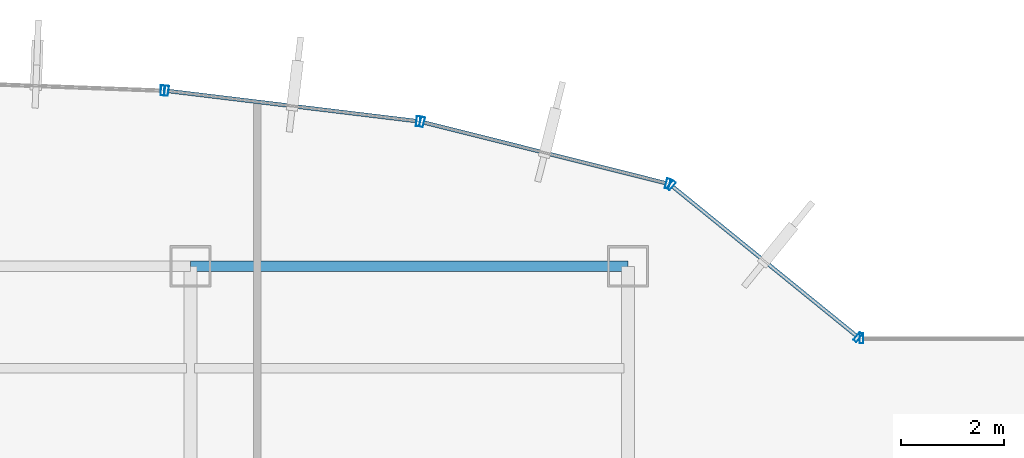
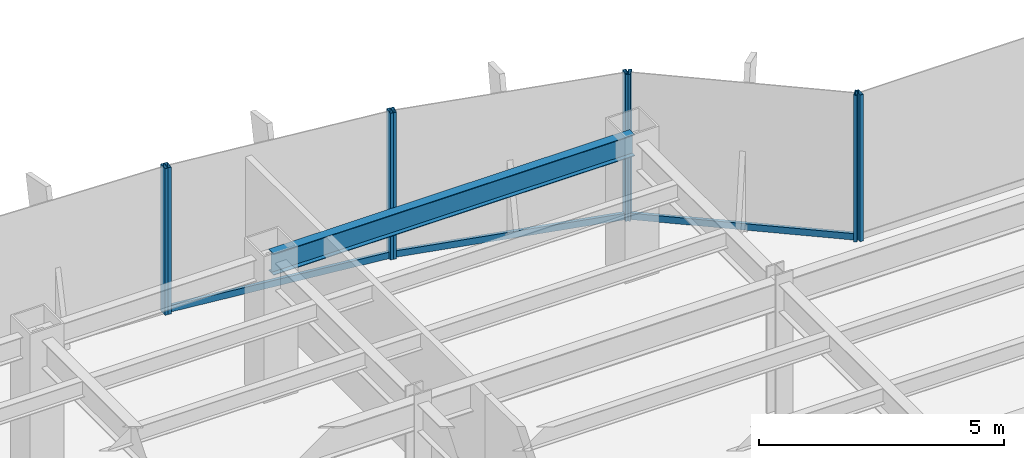
# One storey, part 18 of 26: 11 members, 1 beam, 5 elements without a shape of their own.
"""IFC4 building model written with IfcOpenShell, lengths in metres."""

from ifc_helpers import new_model, si_unit, derived_unit, direction, frame, origin, origin_2d, place, context, subcontext, project, spatial, hollow_rectangle, i_section, extrude, source, transform, mapped, material, material_profile, profile_set, type_object, element, aggregate, save


model = new_model("IFC4")

# Units and contexts
model_context = context("Model", 3, precision=1e-05, world=origin(), true_north=direction((0.0, 1.0)))
body_context = subcontext(model_context, "Body", "Model", "MODEL_VIEW")
ifc_project = project(units=[si_unit("LENGTHUNIT", "METRE"), si_unit("AREAUNIT", "SQUARE_METRE"), si_unit("VOLUMEUNIT", "CUBIC_METRE"), si_unit("PLANEANGLEUNIT", "RADIAN"), si_unit("MASSUNIT", "GRAM", prefix="KILO"), derived_unit("THERMALTRANSMITTANCEUNIT", [(si_unit("POWERUNIT", "WATT"), 1), (si_unit("LENGTHUNIT", "METRE"), -2), (si_unit("THERMODYNAMICTEMPERATUREUNIT", "KELVIN"), -1)])], contexts=[model_context])

# Site, building, storey
site_placement = place(None, origin())
site = spatial("IfcSite", under=ifc_project, at=site_placement, CompositionType="ELEMENT")
building_placement = place(site_placement, origin())
building = spatial("IfcBuilding", under=site, at=building_placement, Name="Skarnbrae Concourse Arena and Tower", CompositionType="ELEMENT")
storey_placement = place(building_placement, frame((0.0, 0.0, 125.14990234375)))
storey = spatial("IfcBuildingStorey", under=building, at=storey_placement, Name="L31", CompositionType="ELEMENT", Elevation=125.14990234375)

# Beam
ifc_material_1 = material(Name="Steel CSA G40.21 350W", Category="steel")
ifc_material_profile_1 = material_profile(ifc_material_1, i_section(OverallWidth=0.208984375, OverallDepth=0.532958984375, WebThickness=0.01025390625, FlangeThickness=0.015625, at=origin_2d()), Name="W530X92")
ifc_profile_set_1 = profile_set([ifc_material_profile_1], Name="Steel CSA G40.21 350W")
beam_type = type_object("IfcBeamType", Name="BM-SPAN-W530X92", PredefinedType="SPANDREL", material=ifc_profile_set_1)
shared_shape_1 = source(origin(), body_context, "Body", "SweptSolid", [
    extrude(i_section(OverallWidth=0.208984375, OverallDepth=0.532958984375, WebThickness=0.01025390625, FlangeThickness=0.015625, at=origin_2d()), origin(), (0.0, 0.0, 1.0), 8.5),
])
beam_placement = place(storey_placement, frame((33.5, 40.39990234375, 3.133544921875), z_axis=(1.0, 0.0, 0.0), x_axis=(0.0, 1.0, 0.0)))
element("IfcBeam", 1, at=beam_placement, inside=storey, type_object=beam_type, Name="L31 Perimeter spandrel Y40.4-4", PredefinedType="SPANDREL", context=body_context, shape_type="MappedRepresentation", body=[
    mapped(shared_shape_1, transform((0.0, 0.0, 0.0))),
])

# Curtain wall, member
ifc_material_2 = material(Name="Bronze anodised aluminium 6063-T6", Category="aluminium")
curtain_wall_type = type_object("IfcCurtainWallType", Name="CW-SYS-04-MIDZONE", PredefinedType="USERDEFINED", material=ifc_material_2)
curtain_wall_1_placement = place(storey_placement, origin())
curtain_wall_1 = element("IfcCurtainWall", 2, at=curtain_wall_1_placement, inside=storey, type_object=curtain_wall_type, Name="L31 Unitised curtain wall CW-L31-E07", ObjectType="UNITISED CURTAIN WALL", PredefinedType="USERDEFINED")
ifc_material_profile_2 = material_profile(ifc_material_2, hollow_rectangle(XDim=0.074951171875, YDim=0.195068359375, WallThickness=0.00439453125, at=origin_2d()), Name="ALU-MULL-75X195")
ifc_profile_set_2 = profile_set([ifc_material_profile_2], Name="Bronze anodised aluminium 6063-T6")
member_type_1 = type_object("IfcMemberType", Name="CWM-CW-04", PredefinedType="MULLION", material=ifc_profile_set_2)
shared_shape_2 = source(origin(), body_context, "Body", "SweptSolid", [
    extrude(hollow_rectangle(XDim=0.074951171875, YDim=0.195068359375, WallThickness=0.00439453125, at=origin_2d()), origin(), (0.0, 0.0, 1.0), 3.650146484375),
])
member_1_placement = place(storey_placement, frame((46.53759765625, 39.0, 0.0), z_axis=(0.0, 0.0, 1.0), x_axis=(-1.0, 0.0, 0.0)))
member_1 = element("IfcMember", 3, at=member_1_placement, type_object=member_type_1, Name="CW-L31-E07 Mullion 2", PredefinedType="MULLION", context=body_context, shape_type="MappedRepresentation", body=[
    mapped(shared_shape_2, transform((0.0, 0.0, 0.0))),
])
aggregate(curtain_wall_1, [member_1])

# Curtain wall, members
curtain_wall_2_placement = place(storey_placement, origin())
curtain_wall_2 = element("IfcCurtainWall", 4, at=curtain_wall_2_placement, inside=storey, type_object=curtain_wall_type, Name="L31 Unitised curtain wall CW-L31-E08", ObjectType="UNITISED CURTAIN WALL", PredefinedType="USERDEFINED")
member_2_placement = place(storey_placement, frame((46.470947265625, 39.023681640625, 0.0), z_axis=(0.0, 0.0, 1.0), x_axis=(-0.776241200471, 0.630436038542, 0.0)))
member_2 = element("IfcMember", 5, at=member_2_placement, type_object=member_type_1, Name="CW-L31-E08 Mullion 1", PredefinedType="MULLION", context=body_context, shape_type="MappedRepresentation", body=[
    mapped(shared_shape_2, transform((0.0, 0.0, 0.0))),
])
member_3_placement = place(storey_placement, frame((42.840087890625, 41.972412109375, 0.0), z_axis=(0.0, 0.0, 1.0), x_axis=(-0.776241200471, 0.630436038542, 0.0)))
member_3 = element("IfcMember", 6, at=member_3_placement, type_object=member_type_1, Name="CW-L31-E08 Mullion 2", PredefinedType="MULLION", context=body_context, shape_type="MappedRepresentation", body=[
    mapped(shared_shape_2, transform((0.0, 0.0, 0.0))),
])

curtain_wall_3_placement = place(storey_placement, origin())
curtain_wall_3 = element("IfcCurtainWall", 7, at=curtain_wall_3_placement, inside=storey, type_object=curtain_wall_type, Name="L31 Unitised curtain wall CW-L31-E09", ObjectType="UNITISED CURTAIN WALL", PredefinedType="USERDEFINED")
member_4_placement = place(storey_placement, frame((42.774658203125, 42.005126953125, 0.0), z_axis=(0.0, 0.0, 1.0), x_axis=(-0.969903046166, 0.243491439351, 0.0)))
member_4 = element("IfcMember", 8, at=member_4_placement, type_object=member_type_1, Name="CW-L31-E09 Mullion 1", PredefinedType="MULLION", context=body_context, shape_type="MappedRepresentation", body=[
    mapped(shared_shape_2, transform((0.0, 0.0, 0.0))),
])
member_5_placement = place(storey_placement, frame((38.00048828125, 43.20361328125, 0.0), z_axis=(0.0, 0.0, 1.0), x_axis=(-0.969903046166, 0.243491439351, 0.0)))
member_5 = element("IfcMember", 9, at=member_5_placement, type_object=member_type_1, Name="CW-L31-E09 Mullion 2", PredefinedType="MULLION", context=body_context, shape_type="MappedRepresentation", body=[
    mapped(shared_shape_2, transform((0.0, 0.0, 0.0))),
])

curtain_wall_4_placement = place(storey_placement, origin())
curtain_wall_4 = element("IfcCurtainWall", 10, at=curtain_wall_4_placement, inside=storey, type_object=curtain_wall_type, Name="L31 Unitised curtain wall CW-L31-E10", ObjectType="UNITISED CURTAIN WALL", PredefinedType="USERDEFINED")
member_6_placement = place(storey_placement, frame((37.927001953125, 43.21728515625, 0.0), z_axis=(0.0, 0.0, 1.0), x_axis=(-0.992749371969, 0.120202680731, 0.0)))
member_6 = element("IfcMember", 11, at=member_6_placement, type_object=member_type_1, Name="CW-L31-E10 Mullion 1", PredefinedType="MULLION", context=body_context, shape_type="MappedRepresentation", body=[
    mapped(shared_shape_2, transform((0.0, 0.0, 0.0))),
])
member_7_placement = place(storey_placement, frame((33.0361328125, 43.8095703125, 0.0), z_axis=(0.0, 0.0, 1.0), x_axis=(-0.992749371969, 0.120202680731, 0.0)))
member_7 = element("IfcMember", 12, at=member_7_placement, type_object=member_type_1, Name="CW-L31-E10 Mullion 2", PredefinedType="MULLION", context=body_context, shape_type="MappedRepresentation", body=[
    mapped(shared_shape_2, transform((0.0, 0.0, 0.0))),
])

# Curtain wall, member
curtain_wall_5_placement = place(storey_placement, origin())
curtain_wall_5 = element("IfcCurtainWall", 13, at=curtain_wall_5_placement, inside=storey, type_object=curtain_wall_type, Name="L31 Unitised curtain wall CW-L31-E11", ObjectType="UNITISED CURTAIN WALL", PredefinedType="USERDEFINED")
member_8_placement = place(storey_placement, frame((32.96142578125, 43.8154296875, 0.0), z_axis=(0.0, 0.0, 1.0), x_axis=(-0.999308486252, 0.037182647889, 0.0)))
member_8 = element("IfcMember", 14, at=member_8_placement, type_object=member_type_1, Name="CW-L31-E11 Mullion 1", PredefinedType="MULLION", context=body_context, shape_type="MappedRepresentation", body=[
    mapped(shared_shape_2, transform((0.0, 0.0, 0.0))),
])
aggregate(curtain_wall_5, [member_8])

# Member
ifc_material_profile_3 = material_profile(ifc_material_2, hollow_rectangle(XDim=0.074951171875, YDim=0.159912109375, WallThickness=0.00439453125, at=origin_2d()), Name="ALU-TRAN-75X160")
ifc_profile_set_3 = profile_set([ifc_material_profile_3], Name="Bronze anodised aluminium 6063-T6")
member_type_2 = type_object("IfcMemberType", Name="CWT-CW-04", PredefinedType="USERDEFINED", material=ifc_profile_set_3)
shared_shape_3 = source(origin(), body_context, "Body", "SweptSolid", [
    extrude(hollow_rectangle(XDim=0.074951171875, YDim=0.159912109375, WallThickness=0.00439453125, at=origin_2d()), origin(), (0.0, 0.0, 1.0), 4.602294921875),
])
member_9_placement = place(storey_placement, frame((46.44189453125, 39.04736328125, 0.080078125), z_axis=(-0.776251906445, 0.630422856297, 0.0), x_axis=(-0.630422856297, -0.776251906445, 0.0)))
member_9 = element("IfcMember", 15, at=member_9_placement, type_object=member_type_2, Name="CW-L31-E08 Transom 1", ObjectType="TRANSOM", PredefinedType="USERDEFINED", context=body_context, shape_type="MappedRepresentation", body=[
    mapped(shared_shape_3, transform((0.0, 0.0, 0.0))),
])

aggregate(curtain_wall_2, [member_2, member_3, member_9])

shared_shape_4 = source(origin(), body_context, "Body", "SweptSolid", [
    extrude(hollow_rectangle(XDim=0.074951171875, YDim=0.159912109375, WallThickness=0.00439453125, at=origin_2d()), origin(), (0.0, 0.0, 1.0), 4.84716796875),
])
member_10_placement = place(storey_placement, frame((42.73828125, 42.014404296875, 0.080078125), z_axis=(-0.969907992238, 0.243471736744, 0.0), x_axis=(-0.243471736744, -0.969907992238, 0.0)))
member_10 = element("IfcMember", 16, at=member_10_placement, type_object=member_type_2, Name="CW-L31-E09 Transom 1", ObjectType="TRANSOM", PredefinedType="USERDEFINED", context=body_context, shape_type="MappedRepresentation", body=[
    mapped(shared_shape_4, transform((0.0, 0.0, 0.0))),
])

aggregate(curtain_wall_3, [member_4, member_5, member_10])

shared_shape_5 = source(origin(), body_context, "Body", "SweptSolid", [
    extrude(hollow_rectangle(XDim=0.074951171875, YDim=0.159912109375, WallThickness=0.00439453125, at=origin_2d()), origin(), (0.0, 0.0, 1.0), 4.851318359375),
])
member_11_placement = place(storey_placement, frame((37.8896484375, 43.2216796875, 0.080078125), z_axis=(-0.992746710317, 0.120224661172, 0.0), x_axis=(-0.120224661172, -0.992746710317, 0.0)))
member_11 = element("IfcMember", 17, at=member_11_placement, type_object=member_type_2, Name="CW-L31-E10 Transom 1", ObjectType="TRANSOM", PredefinedType="USERDEFINED", context=body_context, shape_type="MappedRepresentation", body=[
    mapped(shared_shape_5, transform((0.0, 0.0, 0.0))),
])

aggregate(curtain_wall_4, [member_6, member_7, member_11])

save(model, "model.ifc")
